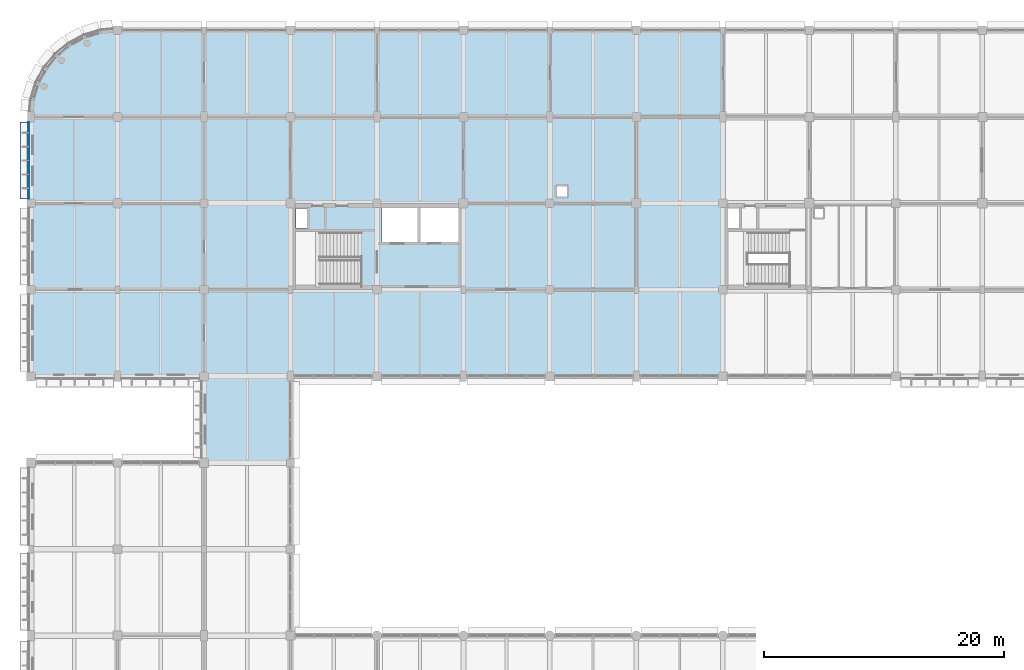
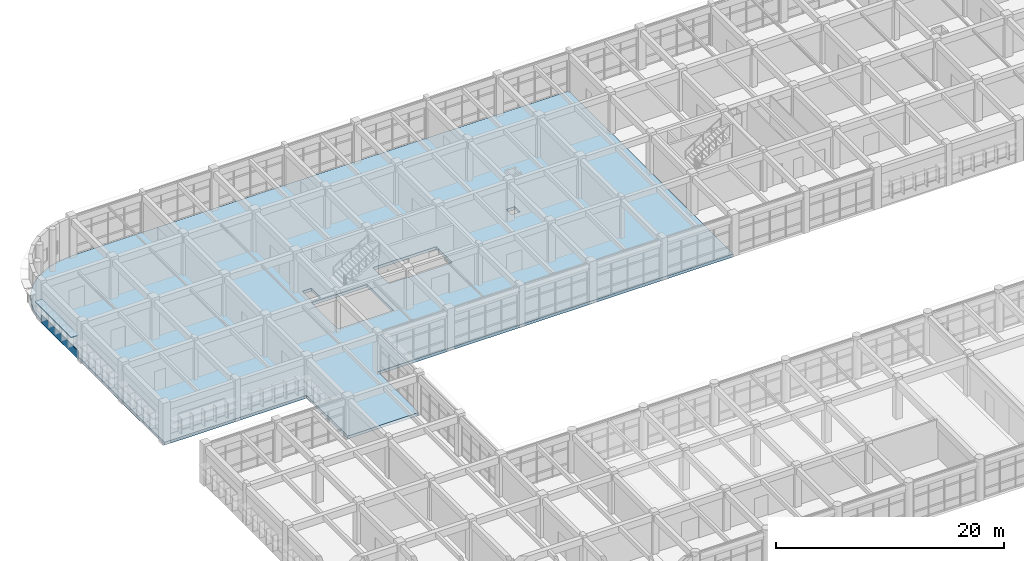
# One storey, part 133 of 171: 2 plates, 1 slab.
"""IFC4 building model written with IfcOpenShell, lengths in metres."""

from ifc_helpers import new_model, si_unit, direction, frame, origin, origin_2d, place, context, subcontext, project, spatial, polyline, rectangle, outline, extrude, material, layer, layer_set, type_object, element, save


model = new_model("IFC4")

# Units and contexts
model_context = context("Model", 3, precision=1e-05, world=origin(), true_north=direction((0.0, 1.0)))
body_context = subcontext(model_context, "Body", "Model", "MODEL_VIEW")
ifc_project = project(units=[si_unit("LENGTHUNIT", "METRE"), si_unit("AREAUNIT", "SQUARE_METRE"), si_unit("VOLUMEUNIT", "CUBIC_METRE"), si_unit("PLANEANGLEUNIT", "RADIAN"), si_unit("MASSUNIT", "GRAM", prefix="KILO")], contexts=[model_context])

# Site, building, storey
site_placement = place(None, origin())
site = spatial("IfcSite", under=ifc_project, at=site_placement, CompositionType="ELEMENT")
building_placement = place(site_placement, origin())
building = spatial("IfcBuilding", under=site, at=building_placement, Name="Thalmaran Polytechnic", CompositionType="ELEMENT")
storey_placement = place(building_placement, frame((0.0, 0.0, 5.39990234375)))
storey = spatial("IfcBuildingStorey", under=building, at=storey_placement, Name="L01", CompositionType="ELEMENT", Elevation=5.39990234375)

# Plates
ifc_material_1 = material(Name="Anodised aluminium spandrel band", Category="aluminium")
ifc_layer_1 = layer(ifc_material_1, 0.054931640625, Name="Anodised aluminium spandrel band")
ifc_layer_set_1 = layer_set([ifc_layer_1], Name="Anodised aluminium spandrel band")
plate_type_1 = type_object("IfcPlateType", Name="PT-BD01", PredefinedType="SHEET", material=ifc_layer_set_1)
plate_1_placement = place(storey_placement, frame((-0.195068359375, 111.5625, 0.020263671875), z_axis=(0.0, 0.0, 1.0), x_axis=(0.0, 1.0, 0.0)))
element("IfcPlate", 1, at=plate_1_placement, inside=storey, type_object=plate_type_1, Name="Streamline Horizontal Spandrel Band L01-020", PredefinedType="SHEET", context=body_context, shape_type="SweptSolid", body=[
    extrude(rectangle(XDim=6.385009765625, YDim=0.054931640625, at=origin_2d()), origin(), (0.0, 0.0, 1.0), 0.8798828125),
])
ifc_material_2 = material(Name="Anodised aluminium sun-hood eyebrow", Category="aluminium")
ifc_layer_2 = layer(ifc_material_2, 0.0849609375, Name="Anodised aluminium sun-hood eyebrow")
ifc_layer_set_2 = layer_set([ifc_layer_2], Name="Anodised aluminium sun-hood eyebrow")
plate_type_2 = type_object("IfcPlateType", Name="PT-EB01", PredefinedType="SHEET", material=ifc_layer_set_2)
plate_2_placement = place(storey_placement, frame((-0.5400390625, 111.5625, 2.517578125), z_axis=(0.0, 0.0, 1.0), x_axis=(0.0, 1.0, 0.0)))
element("IfcPlate", 2, at=plate_2_placement, inside=storey, type_object=plate_type_2, Name="Streamline Sun-Hood Eyebrow L01-020", PredefinedType="SHEET", context=body_context, shape_type="SweptSolid", body=[
    extrude(rectangle(XDim=6.385009765625, YDim=0.760009765625, at=origin_2d()), origin(), (0.0, 0.0, 1.0), 0.0849609375),
])

# Slab
ifc_material_3 = material(Name="Concrete C40/50", Category="concrete")
ifc_layer_3 = layer(ifc_material_3, 0.31005859375, Name="Concrete C40/50")
ifc_layer_set_3 = layer_set([ifc_layer_3], Name="Concrete C40/50")
slab_type = type_object("IfcSlabType", Name="SL-FL03", PredefinedType="FLOOR", material=ifc_layer_set_3)
slab_placement = place(storey_placement, frame((0.0, 0.0, -0.309814453125)))
element("IfcSlab", 3, at=slab_placement, inside=storey, type_object=slab_type, Name="V2W L01 Structural Slab", PredefinedType="FLOOR", context=body_context, shape_type="SweptSolid", body=[
    extrude(outline(polyline([(0.138427734375, 116.604736328125), (0.548095703125, 117.955322265625), (1.21337890625, 119.2001953125), (2.10888671875, 120.291259765625), (3.199951171875, 121.1865234375), (4.444580078125, 121.85205078125), (5.79541015625, 122.26171875), (7.199951171875, 122.39990234375), (14.39990234375, 122.39990234375), (21.60009765625, 122.39990234375), (28.800048828125, 122.39990234375), (36.0, 122.39990234375), (43.199951171875, 122.39990234375), (50.39990234375, 122.39990234375), (57.60009765625, 122.39990234375), (57.60009765625, 115.199951171875), (57.60009765625, 108.0), (57.60009765625, 100.800048828125), (57.60009765625, 93.60009765625), (50.39990234375, 93.60009765625), (43.199951171875, 93.60009765625), (36.0, 93.60009765625), (28.800048828125, 93.60009765625), (21.60009765625, 93.60009765625), (21.60009765625, 86.39990234375), (14.39990234375, 86.39990234375), (14.39990234375, 93.60009765625), (7.199951171875, 93.60009765625), (0.0, 93.60009765625), (0.0, 100.800048828125), (0.0, 108.0), (0.0, 115.199951171875), (0.138427734375, 116.604736328125)]), holes=[polyline([(44.64990234375, 109.449951171875), (43.75, 109.449951171875), (43.75, 108.550048828125), (44.64990234375, 108.550048828125), (44.64990234375, 109.449951171875)]), polyline([(29.199951171875, 107.60009765625), (29.199951171875, 104.800048828125), (35.60009765625, 104.800048828125), (35.60009765625, 107.60009765625), (29.199951171875, 107.60009765625)]), polyline([(27.47998046875, 101.050048828125), (27.47998046875, 105.639892578125), (21.85009765625, 105.639892578125), (21.85009765625, 101.050048828125), (27.47998046875, 101.050048828125)]), polyline([(22.0400390625, 105.93994140625), (22.9599609375, 105.93994140625), (22.9599609375, 107.56005859375), (22.0400390625, 107.56005859375), (22.0400390625, 105.93994140625)])]), origin(), (0.0, 0.0, 1.0), 0.309814453125),
])

save(model, "model.ifc")
